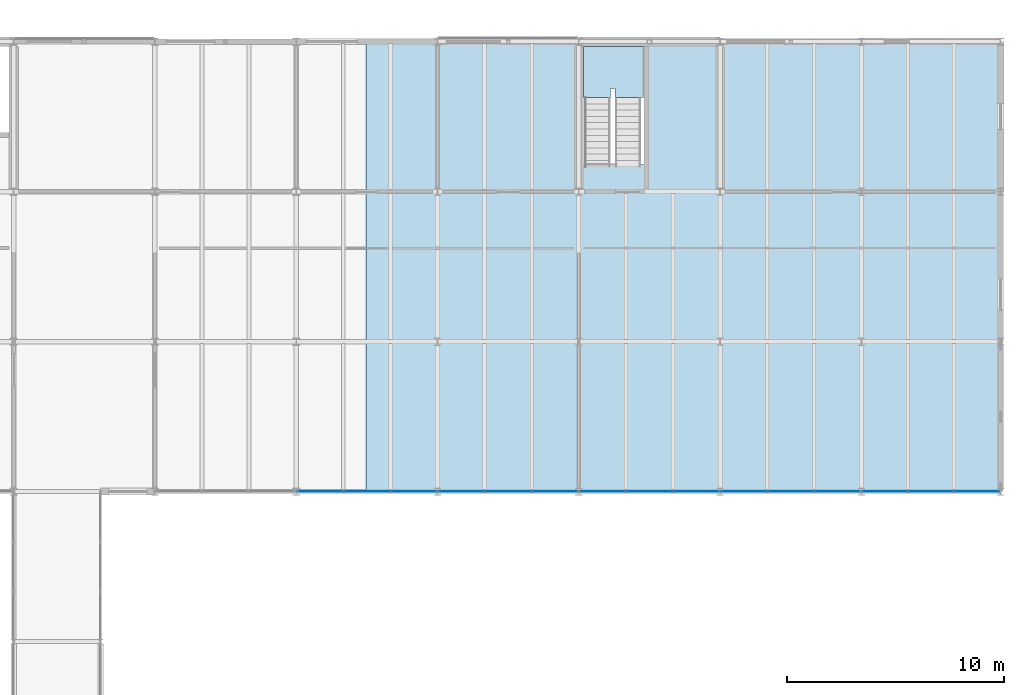
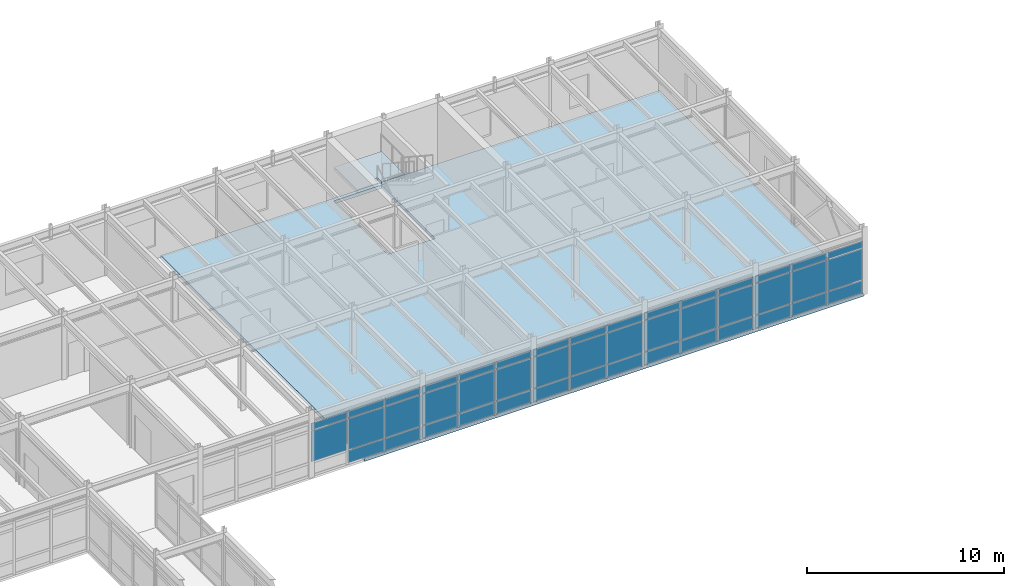
# One storey, part 100 of 144: 44 plates, 2 slabs, 6 elements without a shape of their own.
"""IFC4 building model written with IfcOpenShell, lengths in metres."""

import ifcopenshell
import ifcopenshell.guid

model = None  # the IFC model being written
_history = None  # IfcOwnerHistory: only IFC2X3 demands one
_inside = {}  # id of a spatial element -> (the spatial element, [elements in it])
_under = {}  # id of a project, library or spatial element -> (it, [spatial elements below it])
_declared = {}  # id of a project -> (the project, [libraries it declares])
_typed = {}  # id of a type object -> (the type object, [elements of that type])
_made_of = {}  # id of a material, layer set ... -> (it, [elements and type objects made of it])


def new_model(schema):
    """Start an empty IFC model of exactly this schema.

    Asked for "IFC4X3", IfcOpenShell would pick the latest addendum, in which some entities
    have other attributes; the version numbers below select the first issue.
    IFC2X3 requires an IfcOwnerHistory on every rooted entity: one is made here for all.
    """
    global model, _history
    if schema == "IFC4X3":
        model = ifcopenshell.file(schema_version=(4, 3, 0, 0))
    else:
        model = ifcopenshell.file(schema=schema)
    _inside.clear()
    _under.clear()
    _declared.clear()
    _typed.clear()
    _made_of.clear()
    _history = None
    if model.schema == "IFC2X3":
        org = make("IfcOrganization", Name="unknown")
        user = make(
            "IfcPersonAndOrganization",
            ThePerson=make("IfcPerson", FamilyName="unknown"),
            TheOrganization=org,
        )
        app = make(
            "IfcApplication",
            ApplicationDeveloper=org,
            Version="unknown",
            ApplicationFullName="unknown",
            ApplicationIdentifier="unknown",
        )
        _history = make(
            "IfcOwnerHistory",
            OwningUser=user,
            OwningApplication=app,
            ChangeAction="ADDED",
            CreationDate=0,
        )
    return model


def make(cls, **values):
    """One entity of the class cls with the attributes given. An attribute that is None is left unset."""
    return model.create_entity(
        cls, **{name: value for name, value in values.items() if value is not None}
    )


def rooted(cls, **values):
    """An entity with a GlobalId (a new one), such as an element, a storey or a relation."""
    return make(cls, GlobalId=ifcopenshell.guid.new(), OwnerHistory=_history, **values)


def si_unit(unit_type, name, prefix=None):
    """IfcSIUnit, for example si_unit("LENGTHUNIT", "METRE", prefix="MILLI")."""
    return make("IfcSIUnit", UnitType=unit_type, Prefix=prefix, Name=name)


def assignment(units):
    """IfcUnitAssignment: the units of a project."""
    return None if units is None else make("IfcUnitAssignment", Units=units)


def point(xyz):
    """IfcCartesianPoint."""
    return None if xyz is None else make("IfcCartesianPoint", Coordinates=xyz)


def direction(xyz):
    """IfcDirection."""
    return None if xyz is None else make("IfcDirection", DirectionRatios=xyz)


def frame(location, z_axis=None, x_axis=None):
    """IfcAxis2Placement3D, a coordinate frame: its origin and axes. An axis left out is left unset."""
    return make(
        "IfcAxis2Placement3D",
        Location=point(location),
        Axis=direction(z_axis),
        RefDirection=direction(x_axis),
    )


def frame_2d(location, x_axis=None):
    """IfcAxis2Placement2D, a coordinate frame in the plane: its origin and x axis."""
    return make(
        "IfcAxis2Placement2D", Location=point(location), RefDirection=direction(x_axis)
    )


def origin():
    """The frame at (0, 0, 0) with its axes left unset."""
    return frame((0.0, 0.0, 0.0))


def origin_2d():
    """The frame at (0, 0) in the plane with its x axis left unset."""
    return frame_2d((0.0, 0.0))


def place(relative_to, where):
    """IfcLocalPlacement: puts the frame where relative to a parent placement (None: the world)."""
    return make(
        "IfcLocalPlacement", PlacementRelTo=relative_to, RelativePlacement=where
    )


def context(
    kind, dimensions, precision=None, world=None, true_north=None, identifier=None
):
    """IfcGeometricRepresentationContext, for example the 3D "Model" context."""
    return make(
        "IfcGeometricRepresentationContext",
        ContextIdentifier=identifier,
        ContextType=kind,
        CoordinateSpaceDimension=dimensions,
        Precision=precision,
        WorldCoordinateSystem=world,
        TrueNorth=true_north,
    )


def subcontext(parent, identifier, kind, view, scale=None):
    """IfcGeometricRepresentationSubContext, for example "Body" below "Model"."""
    return make(
        "IfcGeometricRepresentationSubContext",
        ContextIdentifier=identifier,
        ContextType=kind,
        ParentContext=parent,
        TargetScale=scale,
        TargetView=view,
    )


def project(units=None, contexts=None):
    """IfcProject with its units and contexts."""
    return rooted(
        "IfcProject",
        Name="project",
        RepresentationContexts=contexts,
        UnitsInContext=assignment(units),
    )


def spatial(cls, under=None, at=None, **own):
    """A site, building, storey or space (cls), placed at a placement, below another one or the project."""
    s = rooted(cls, ObjectPlacement=at, **own)
    if under is not None:
        _under.setdefault(under.id(), (under, []))[1].append(s)
    return s


def polyline(points):
    """IfcPolyline through the points."""
    return make("IfcPolyline", Points=[point(p) for p in points])


def profile(cls, at=None, kind="AREA", **sizes):
    """A parametric profile (cls). Its sizes go by their IFC names, for example OverallWidth=200.0."""
    return make(cls, ProfileType=kind, Position=at, **sizes)


def rectangle(**sizes):
    """IfcRectangleProfileDef."""
    return profile("IfcRectangleProfileDef", **sizes)


def outline(outer, holes=None, kind="AREA"):
    """IfcArbitraryClosedProfileDef: a profile drawn as a closed curve; with holes, ...WithVoids."""
    if holes is None:
        return make("IfcArbitraryClosedProfileDef", ProfileType=kind, OuterCurve=outer)
    return make(
        "IfcArbitraryProfileDefWithVoids",
        ProfileType=kind,
        OuterCurve=outer,
        InnerCurves=holes,
    )


def extrude(swept, where, along, depth):
    """IfcExtrudedAreaSolid: the profile swept, set in the frame where, extruded along a direction by depth."""
    return make(
        "IfcExtrudedAreaSolid",
        SweptArea=swept,
        Position=where,
        ExtrudedDirection=direction(along),
        Depth=depth,
    )


def shape(context_of_items, identifier, shape_type, items):
    """IfcShapeRepresentation: the items that make up one representation, for example the "Body"."""
    return make(
        "IfcShapeRepresentation",
        ContextOfItems=context_of_items,
        RepresentationIdentifier=identifier,
        RepresentationType=shape_type,
        Items=items,
    )


def material(Name=None, Category=None):
    """IfcMaterial."""
    return make("IfcMaterial", Name=Name, Category=Category)


def layer(
    of_material, thickness, ventilated=None, Name=None, Category=None, Priority=None
):
    """IfcMaterialLayer: one layer of a wall or slab, of a material (None: an air gap)."""
    return make(
        "IfcMaterialLayer",
        Material=of_material,
        LayerThickness=thickness,
        IsVentilated=ventilated,
        Name=Name,
        Category=Category,
        Priority=Priority,
    )


def layer_set(layers, Name=None):
    """IfcMaterialLayerSet."""
    return make("IfcMaterialLayerSet", MaterialLayers=layers, LayerSetName=Name)


def made_of(thing, what):
    """Note that an element or type object is made of a material, layer set ...; save() writes the relation."""
    if what is not None:
        _made_of.setdefault(what.id(), (what, []))[1].append(thing)
    return thing


def type_object(cls, material=None, **own):
    """A type object (cls), such as IfcWallType, which elements share."""
    return made_of(rooted(cls, **own), material)


def element(
    cls,
    number,
    at=None,
    inside=None,
    cuts=None,
    type_object=None,
    material=None,
    context=None,
    identifier="Body",
    shape_type=None,
    held_by="IfcProductDefinitionShape",
    body=None,
    shapes=None,
    **own,
):
    """One element of the class cls, such as IfcWall. Its Tag is "e" and its number.

    at: its placement. inside: the storey or other place that contains it. cuts: it is an
    opening in that element (IfcRelVoidsElement). A single representation is given by context,
    identifier, shape_type and body (its items); several are given by shapes. held_by: the class
    of the entity that holds the representations. save() writes the other relations.
    """
    e = rooted(cls, Tag="e%d" % number, ObjectPlacement=at, **own)
    if body is not None:
        shapes = [shape(context, identifier, shape_type, body)]
    if shapes is not None:
        e.Representation = make(held_by, Representations=shapes)
    if inside is not None:
        _inside.setdefault(inside.id(), (inside, []))[1].append(e)
    if cuts is not None:
        rooted(
            "IfcRelVoidsElement", RelatingBuildingElement=cuts, RelatedOpeningElement=e
        )
    if type_object is not None:
        _typed.setdefault(type_object.id(), (type_object, []))[1].append(e)
    return made_of(e, material)


def aggregate(whole, parts):
    """IfcRelAggregates: a whole, such as a stair, and the parts it consists of."""
    return rooted("IfcRelAggregates", RelatingObject=whole, RelatedObjects=parts)


def save(model, path):
    """Write the relations noted so far, then the file.

    IfcRelAggregates (storeys below a building ...), IfcRelContainedInSpatialStructure (elements
    in a storey), IfcRelDefinesByType, IfcRelAssociatesMaterial and IfcRelDeclares: one each for
    every whole, place, type object, material and project.
    """
    for whole, parts in _under.values():
        aggregate(whole, parts)
    for where, things in _inside.values():
        rooted(
            "IfcRelContainedInSpatialStructure",
            RelatedElements=things,
            RelatingStructure=where,
        )
    for kind, things in _typed.values():
        rooted("IfcRelDefinesByType", RelatedObjects=things, RelatingType=kind)
    for what, things in _made_of.values():
        rooted("IfcRelAssociatesMaterial", RelatedObjects=things, RelatingMaterial=what)
    for by, libraries in _declared.values():
        rooted("IfcRelDeclares", RelatingContext=by, RelatedDefinitions=libraries)
    model.write(path)


model = new_model("IFC4")

# Units and contexts
model_context = context("Model", 3, precision=1e-05, world=origin(), true_north=direction((0.0, 1.0)))
body_context = subcontext(model_context, "Body", "Model", "MODEL_VIEW")
ifc_project = project(units=[si_unit("LENGTHUNIT", "METRE"), si_unit("AREAUNIT", "SQUARE_METRE"), si_unit("VOLUMEUNIT", "CUBIC_METRE"), si_unit("PLANEANGLEUNIT", "RADIAN"), si_unit("MASSUNIT", "GRAM", prefix="KILO")], contexts=[model_context])

# Site, building, storey
site_placement = place(None, origin())
site = spatial("IfcSite", under=ifc_project, at=site_placement, CompositionType="ELEMENT")
building_placement = place(site_placement, origin())
building = spatial("IfcBuilding", under=site, at=building_placement, Name="Trelmorton Wharf Fire Station", CompositionType="ELEMENT")
storey_placement = place(building_placement, frame((0.0, 0.0, 5.39990234375)))
storey = spatial("IfcBuildingStorey", under=building, at=storey_placement, Name="L01", CompositionType="ELEMENT", Elevation=5.39990234375)

# Curtain wall, plates
ifc_material_1 = material(Name="Anodised aluminium AW-6063", Category="aluminium")
ifc_layer_1 = layer(ifc_material_1, 0.159912109375)
ifc_layer_set_1 = layer_set([ifc_layer_1], Name="Anodised aluminium AW-6063")
curtain_wall_type = type_object("IfcCurtainWallType", Name="CW_CHIC_A", PredefinedType="USERDEFINED", material=ifc_layer_set_1)
curtain_wall_1_placement = place(storey_placement, origin())
curtain_wall_1 = element("IfcCurtainWall", 1, at=curtain_wall_1_placement, inside=storey, type_object=curtain_wall_type, Name="CW-V4-L01-125", ObjectType="CHICAGO BAY CURTAIN WALL", PredefinedType="USERDEFINED")
ifc_material_2 = material(Name="Tempered low-E double glazing", Category="glass")
ifc_layer_2 = layer(ifc_material_2, 0.028076171875)
ifc_layer_set_2 = layer_set([ifc_layer_2], Name="Tempered low-E double glazing")
plate_type_1 = type_object("IfcPlateType", Name="CWP_GLAZ_28", PredefinedType="CURTAIN_PANEL", material=ifc_layer_set_2)
plate_1_placement = place(storey_placement, frame((135.3984375, 60.300048828125, 0.06005859375), z_axis=(0.0, 0.0, 1.0), x_axis=(-1.0, 0.0, 0.0)))
plate_1 = element("IfcPlate", 2, at=plate_1_placement, type_object=plate_type_1, Name="CW1 panel 1.1", PredefinedType="CURTAIN_PANEL", context=body_context, shape_type="SweptSolid", body=[
    extrude(rectangle(XDim=2.0732421875, YDim=0.028076171875, at=origin_2d()), origin(), (0.0, 0.0, 1.0), 0.760009765625),
])
plate_2_placement = place(storey_placement, frame((135.3984375, 60.300048828125, 0.88037109375), z_axis=(0.0, 0.0, 1.0), x_axis=(-1.0, 0.0, 0.0)))
plate_2 = element("IfcPlate", 3, at=plate_2_placement, type_object=plate_type_1, Name="CW1 panel 1.2", PredefinedType="CURTAIN_PANEL", context=body_context, shape_type="SweptSolid", body=[
    extrude(rectangle(XDim=2.0732421875, YDim=0.028076171875, at=origin_2d()), origin(), (0.0, 0.0, 1.0), 1.909912109375),
])
plate_3_placement = place(storey_placement, frame((135.3984375, 60.300048828125, 2.85009765625), z_axis=(0.0, 0.0, 1.0), x_axis=(-1.0, 0.0, 0.0)))
plate_3 = element("IfcPlate", 4, at=plate_3_placement, type_object=plate_type_1, Name="CW1 panel 1.3", PredefinedType="CURTAIN_PANEL", context=body_context, shape_type="SweptSolid", body=[
    extrude(rectangle(XDim=2.0732421875, YDim=0.028076171875, at=origin_2d()), origin(), (0.0, 0.0, 1.0), 0.409912109375),
])
plate_4_placement = place(storey_placement, frame((133.25, 60.300048828125, 0.06005859375), z_axis=(0.0, 0.0, 1.0), x_axis=(-1.0, 0.0, 0.0)))
plate_4 = element("IfcPlate", 5, at=plate_4_placement, type_object=plate_type_1, Name="CW1 panel 2.1", PredefinedType="CURTAIN_PANEL", context=body_context, shape_type="SweptSolid", body=[
    extrude(rectangle(XDim=2.103271484375, YDim=0.028076171875, at=origin_2d()), origin(), (0.0, 0.0, 1.0), 0.760009765625),
])
plate_5_placement = place(storey_placement, frame((133.25, 60.300048828125, 0.88037109375), z_axis=(0.0, 0.0, 1.0), x_axis=(-1.0, 0.0, 0.0)))
plate_5 = element("IfcPlate", 6, at=plate_5_placement, type_object=plate_type_1, Name="CW1 panel 2.2", PredefinedType="CURTAIN_PANEL", context=body_context, shape_type="SweptSolid", body=[
    extrude(rectangle(XDim=2.103271484375, YDim=0.028076171875, at=origin_2d()), origin(), (0.0, 0.0, 1.0), 1.909912109375),
])
plate_6_placement = place(storey_placement, frame((133.25, 60.300048828125, 2.85009765625), z_axis=(0.0, 0.0, 1.0), x_axis=(-1.0, 0.0, 0.0)))
plate_6 = element("IfcPlate", 7, at=plate_6_placement, type_object=plate_type_1, Name="CW1 panel 2.3", PredefinedType="CURTAIN_PANEL", context=body_context, shape_type="SweptSolid", body=[
    extrude(rectangle(XDim=2.103271484375, YDim=0.028076171875, at=origin_2d()), origin(), (0.0, 0.0, 1.0), 0.409912109375),
])
plate_7_placement = place(storey_placement, frame((131.1015625, 60.300048828125, 0.88037109375), z_axis=(0.0, 0.0, 1.0), x_axis=(-1.0, 0.0, 0.0)))
plate_7 = element("IfcPlate", 8, at=plate_7_placement, type_object=plate_type_1, Name="CW1 panel 3.2", PredefinedType="CURTAIN_PANEL", context=body_context, shape_type="SweptSolid", body=[
    extrude(rectangle(XDim=2.0732421875, YDim=0.028076171875, at=origin_2d()), origin(), (0.0, 0.0, 1.0), 1.909912109375),
])
plate_8_placement = place(storey_placement, frame((131.1015625, 60.300048828125, 2.85009765625), z_axis=(0.0, 0.0, 1.0), x_axis=(-1.0, 0.0, 0.0)))
plate_8 = element("IfcPlate", 9, at=plate_8_placement, type_object=plate_type_1, Name="CW1 panel 3.3", PredefinedType="CURTAIN_PANEL", context=body_context, shape_type="SweptSolid", body=[
    extrude(rectangle(XDim=2.0732421875, YDim=0.028076171875, at=origin_2d()), origin(), (0.0, 0.0, 1.0), 0.409912109375),
])
aggregate(curtain_wall_1, [plate_1, plate_2, plate_3, plate_4, plate_5, plate_6, plate_7, plate_8])

curtain_wall_2_placement = place(storey_placement, origin())
curtain_wall_2 = element("IfcCurtainWall", 10, at=curtain_wall_2_placement, inside=storey, type_object=curtain_wall_type, Name="CW-V4-L01-127", ObjectType="CHICAGO BAY CURTAIN WALL", PredefinedType="USERDEFINED")
plate_9_placement = place(storey_placement, frame((148.3984375, 60.300048828125, 0.06005859375), z_axis=(0.0, 0.0, 1.0), x_axis=(-1.0, 0.0, 0.0)))
plate_9 = element("IfcPlate", 11, at=plate_9_placement, type_object=plate_type_1, Name="CW1 panel 1.1", PredefinedType="CURTAIN_PANEL", context=body_context, shape_type="SweptSolid", body=[
    extrude(rectangle(XDim=2.0732421875, YDim=0.028076171875, at=origin_2d()), origin(), (0.0, 0.0, 1.0), 0.760009765625),
])
plate_10_placement = place(storey_placement, frame((148.3984375, 60.300048828125, 0.88037109375), z_axis=(0.0, 0.0, 1.0), x_axis=(-1.0, 0.0, 0.0)))
plate_10 = element("IfcPlate", 12, at=plate_10_placement, type_object=plate_type_1, Name="CW1 panel 1.2", PredefinedType="CURTAIN_PANEL", context=body_context, shape_type="SweptSolid", body=[
    extrude(rectangle(XDim=2.0732421875, YDim=0.028076171875, at=origin_2d()), origin(), (0.0, 0.0, 1.0), 1.909912109375),
])
plate_11_placement = place(storey_placement, frame((148.3984375, 60.300048828125, 2.85009765625), z_axis=(0.0, 0.0, 1.0), x_axis=(-1.0, 0.0, 0.0)))
plate_11 = element("IfcPlate", 13, at=plate_11_placement, type_object=plate_type_1, Name="CW1 panel 1.3", PredefinedType="CURTAIN_PANEL", context=body_context, shape_type="SweptSolid", body=[
    extrude(rectangle(XDim=2.0732421875, YDim=0.028076171875, at=origin_2d()), origin(), (0.0, 0.0, 1.0), 0.409912109375),
])
plate_12_placement = place(storey_placement, frame((146.25, 60.300048828125, 0.06005859375), z_axis=(0.0, 0.0, 1.0), x_axis=(-1.0, 0.0, 0.0)))
plate_12 = element("IfcPlate", 14, at=plate_12_placement, type_object=plate_type_1, Name="CW1 panel 2.1", PredefinedType="CURTAIN_PANEL", context=body_context, shape_type="SweptSolid", body=[
    extrude(rectangle(XDim=2.103271484375, YDim=0.028076171875, at=origin_2d()), origin(), (0.0, 0.0, 1.0), 0.760009765625),
])
plate_13_placement = place(storey_placement, frame((146.25, 60.300048828125, 0.88037109375), z_axis=(0.0, 0.0, 1.0), x_axis=(-1.0, 0.0, 0.0)))
plate_13 = element("IfcPlate", 15, at=plate_13_placement, type_object=plate_type_1, Name="CW1 panel 2.2", PredefinedType="CURTAIN_PANEL", context=body_context, shape_type="SweptSolid", body=[
    extrude(rectangle(XDim=2.103271484375, YDim=0.028076171875, at=origin_2d()), origin(), (0.0, 0.0, 1.0), 1.909912109375),
])
plate_14_placement = place(storey_placement, frame((146.25, 60.300048828125, 2.85009765625), z_axis=(0.0, 0.0, 1.0), x_axis=(-1.0, 0.0, 0.0)))
plate_14 = element("IfcPlate", 16, at=plate_14_placement, type_object=plate_type_1, Name="CW1 panel 2.3", PredefinedType="CURTAIN_PANEL", context=body_context, shape_type="SweptSolid", body=[
    extrude(rectangle(XDim=2.103271484375, YDim=0.028076171875, at=origin_2d()), origin(), (0.0, 0.0, 1.0), 0.409912109375),
])
plate_15_placement = place(storey_placement, frame((144.1015625, 60.300048828125, 0.06005859375), z_axis=(0.0, 0.0, 1.0), x_axis=(-1.0, 0.0, 0.0)))
plate_15 = element("IfcPlate", 17, at=plate_15_placement, type_object=plate_type_1, Name="CW1 panel 3.1", PredefinedType="CURTAIN_PANEL", context=body_context, shape_type="SweptSolid", body=[
    extrude(rectangle(XDim=2.0732421875, YDim=0.028076171875, at=origin_2d()), origin(), (0.0, 0.0, 1.0), 0.760009765625),
])
plate_16_placement = place(storey_placement, frame((144.1015625, 60.300048828125, 0.88037109375), z_axis=(0.0, 0.0, 1.0), x_axis=(-1.0, 0.0, 0.0)))
plate_16 = element("IfcPlate", 18, at=plate_16_placement, type_object=plate_type_1, Name="CW1 panel 3.2", PredefinedType="CURTAIN_PANEL", context=body_context, shape_type="SweptSolid", body=[
    extrude(rectangle(XDim=2.0732421875, YDim=0.028076171875, at=origin_2d()), origin(), (0.0, 0.0, 1.0), 1.909912109375),
])
plate_17_placement = place(storey_placement, frame((144.1015625, 60.300048828125, 2.85009765625), z_axis=(0.0, 0.0, 1.0), x_axis=(-1.0, 0.0, 0.0)))
plate_17 = element("IfcPlate", 19, at=plate_17_placement, type_object=plate_type_1, Name="CW1 panel 3.3", PredefinedType="CURTAIN_PANEL", context=body_context, shape_type="SweptSolid", body=[
    extrude(rectangle(XDim=2.0732421875, YDim=0.028076171875, at=origin_2d()), origin(), (0.0, 0.0, 1.0), 0.409912109375),
])
aggregate(curtain_wall_2, [plate_9, plate_10, plate_11, plate_12, plate_13, plate_14, plate_15, plate_16, plate_17])

curtain_wall_3_placement = place(storey_placement, origin())
curtain_wall_3 = element("IfcCurtainWall", 20, at=curtain_wall_3_placement, inside=storey, type_object=curtain_wall_type, Name="CW-V4-L01-128", ObjectType="CHICAGO BAY CURTAIN WALL", PredefinedType="USERDEFINED")
plate_18_placement = place(storey_placement, frame((154.8984375, 60.300048828125, 0.06005859375), z_axis=(0.0, 0.0, 1.0), x_axis=(-1.0, 0.0, 0.0)))
plate_18 = element("IfcPlate", 21, at=plate_18_placement, type_object=plate_type_1, Name="CW1 panel 1.1", PredefinedType="CURTAIN_PANEL", context=body_context, shape_type="SweptSolid", body=[
    extrude(rectangle(XDim=2.0732421875, YDim=0.028076171875, at=origin_2d()), origin(), (0.0, 0.0, 1.0), 0.760009765625),
])
plate_19_placement = place(storey_placement, frame((154.8984375, 60.300048828125, 0.88037109375), z_axis=(0.0, 0.0, 1.0), x_axis=(-1.0, 0.0, 0.0)))
plate_19 = element("IfcPlate", 22, at=plate_19_placement, type_object=plate_type_1, Name="CW1 panel 1.2", PredefinedType="CURTAIN_PANEL", context=body_context, shape_type="SweptSolid", body=[
    extrude(rectangle(XDim=2.0732421875, YDim=0.028076171875, at=origin_2d()), origin(), (0.0, 0.0, 1.0), 1.909912109375),
])
plate_20_placement = place(storey_placement, frame((154.8984375, 60.300048828125, 2.85009765625), z_axis=(0.0, 0.0, 1.0), x_axis=(-1.0, 0.0, 0.0)))
plate_20 = element("IfcPlate", 23, at=plate_20_placement, type_object=plate_type_1, Name="CW1 panel 1.3", PredefinedType="CURTAIN_PANEL", context=body_context, shape_type="SweptSolid", body=[
    extrude(rectangle(XDim=2.0732421875, YDim=0.028076171875, at=origin_2d()), origin(), (0.0, 0.0, 1.0), 0.409912109375),
])
plate_21_placement = place(storey_placement, frame((152.75, 60.300048828125, 0.06005859375), z_axis=(0.0, 0.0, 1.0), x_axis=(-1.0, 0.0, 0.0)))
plate_21 = element("IfcPlate", 24, at=plate_21_placement, type_object=plate_type_1, Name="CW1 panel 2.1", PredefinedType="CURTAIN_PANEL", context=body_context, shape_type="SweptSolid", body=[
    extrude(rectangle(XDim=2.103271484375, YDim=0.028076171875, at=origin_2d()), origin(), (0.0, 0.0, 1.0), 0.760009765625),
])
plate_22_placement = place(storey_placement, frame((152.75, 60.300048828125, 0.88037109375), z_axis=(0.0, 0.0, 1.0), x_axis=(-1.0, 0.0, 0.0)))
plate_22 = element("IfcPlate", 25, at=plate_22_placement, type_object=plate_type_1, Name="CW1 panel 2.2", PredefinedType="CURTAIN_PANEL", context=body_context, shape_type="SweptSolid", body=[
    extrude(rectangle(XDim=2.103271484375, YDim=0.028076171875, at=origin_2d()), origin(), (0.0, 0.0, 1.0), 1.909912109375),
])
plate_23_placement = place(storey_placement, frame((152.75, 60.300048828125, 2.85009765625), z_axis=(0.0, 0.0, 1.0), x_axis=(-1.0, 0.0, 0.0)))
plate_23 = element("IfcPlate", 26, at=plate_23_placement, type_object=plate_type_1, Name="CW1 panel 2.3", PredefinedType="CURTAIN_PANEL", context=body_context, shape_type="SweptSolid", body=[
    extrude(rectangle(XDim=2.103271484375, YDim=0.028076171875, at=origin_2d()), origin(), (0.0, 0.0, 1.0), 0.409912109375),
])
plate_24_placement = place(storey_placement, frame((150.6015625, 60.300048828125, 0.06005859375), z_axis=(0.0, 0.0, 1.0), x_axis=(-1.0, 0.0, 0.0)))
plate_24 = element("IfcPlate", 27, at=plate_24_placement, type_object=plate_type_1, Name="CW1 panel 3.1", PredefinedType="CURTAIN_PANEL", context=body_context, shape_type="SweptSolid", body=[
    extrude(rectangle(XDim=2.0732421875, YDim=0.028076171875, at=origin_2d()), origin(), (0.0, 0.0, 1.0), 0.760009765625),
])
plate_25_placement = place(storey_placement, frame((150.6015625, 60.300048828125, 0.88037109375), z_axis=(0.0, 0.0, 1.0), x_axis=(-1.0, 0.0, 0.0)))
plate_25 = element("IfcPlate", 28, at=plate_25_placement, type_object=plate_type_1, Name="CW1 panel 3.2", PredefinedType="CURTAIN_PANEL", context=body_context, shape_type="SweptSolid", body=[
    extrude(rectangle(XDim=2.0732421875, YDim=0.028076171875, at=origin_2d()), origin(), (0.0, 0.0, 1.0), 1.909912109375),
])
plate_26_placement = place(storey_placement, frame((150.6015625, 60.300048828125, 2.85009765625), z_axis=(0.0, 0.0, 1.0), x_axis=(-1.0, 0.0, 0.0)))
plate_26 = element("IfcPlate", 29, at=plate_26_placement, type_object=plate_type_1, Name="CW1 panel 3.3", PredefinedType="CURTAIN_PANEL", context=body_context, shape_type="SweptSolid", body=[
    extrude(rectangle(XDim=2.0732421875, YDim=0.028076171875, at=origin_2d()), origin(), (0.0, 0.0, 1.0), 0.409912109375),
])
aggregate(curtain_wall_3, [plate_18, plate_19, plate_20, plate_21, plate_22, plate_23, plate_24, plate_25, plate_26])

curtain_wall_4_placement = place(storey_placement, origin())
curtain_wall_4 = element("IfcCurtainWall", 30, at=curtain_wall_4_placement, inside=storey, type_object=curtain_wall_type, Name="CW-V4-L01-129", ObjectType="CHICAGO BAY CURTAIN WALL", PredefinedType="USERDEFINED")
ifc_layer_3 = layer(ifc_material_2, 0.028076171875)
ifc_layer_set_3 = layer_set([ifc_layer_3], Name="Tempered low-E double glazing")
plate_type_2 = type_object("IfcPlateType", Name="CWP_GLAZ_38", PredefinedType="CURTAIN_PANEL", material=ifc_layer_set_3)
plate_27_placement = place(storey_placement, frame((161.31494140625, 60.300048828125, 0.06005859375), z_axis=(0.0, 0.0, 1.0), x_axis=(-1.0, 0.0, 0.0)))
plate_27 = element("IfcPlate", 31, at=plate_27_placement, type_object=plate_type_2, Name="CW1 panel 1.1", PredefinedType="CURTAIN_PANEL", context=body_context, shape_type="SweptSolid", body=[
    extrude(rectangle(XDim=2.0400390625, YDim=0.028076171875, at=origin_2d()), origin(), (0.0, 0.0, 1.0), 0.760009765625),
])
plate_28_placement = place(storey_placement, frame((161.31494140625, 60.300048828125, 0.88037109375), z_axis=(0.0, 0.0, 1.0), x_axis=(-1.0, 0.0, 0.0)))
plate_28 = element("IfcPlate", 32, at=plate_28_placement, type_object=plate_type_2, Name="CW1 panel 1.2", PredefinedType="CURTAIN_PANEL", context=body_context, shape_type="SweptSolid", body=[
    extrude(rectangle(XDim=2.0400390625, YDim=0.028076171875, at=origin_2d()), origin(), (0.0, 0.0, 1.0), 1.909912109375),
])
plate_29_placement = place(storey_placement, frame((161.31494140625, 60.300048828125, 2.85009765625), z_axis=(0.0, 0.0, 1.0), x_axis=(-1.0, 0.0, 0.0)))
plate_29 = element("IfcPlate", 33, at=plate_29_placement, type_object=plate_type_2, Name="CW1 panel 1.3", PredefinedType="CURTAIN_PANEL", context=body_context, shape_type="SweptSolid", body=[
    extrude(rectangle(XDim=2.0400390625, YDim=0.028076171875, at=origin_2d()), origin(), (0.0, 0.0, 1.0), 0.409912109375),
])
plate_30_placement = place(storey_placement, frame((159.199951171875, 60.300048828125, 0.06005859375), z_axis=(0.0, 0.0, 1.0), x_axis=(-1.0, 0.0, 0.0)))
plate_30 = element("IfcPlate", 34, at=plate_30_placement, type_object=plate_type_2, Name="CW1 panel 2.1", PredefinedType="CURTAIN_PANEL", context=body_context, shape_type="SweptSolid", body=[
    extrude(rectangle(XDim=2.070068359375, YDim=0.028076171875, at=origin_2d()), origin(), (0.0, 0.0, 1.0), 0.760009765625),
])
plate_31_placement = place(storey_placement, frame((159.199951171875, 60.300048828125, 0.88037109375), z_axis=(0.0, 0.0, 1.0), x_axis=(-1.0, 0.0, 0.0)))
plate_31 = element("IfcPlate", 35, at=plate_31_placement, type_object=plate_type_2, Name="CW1 panel 2.2", PredefinedType="CURTAIN_PANEL", context=body_context, shape_type="SweptSolid", body=[
    extrude(rectangle(XDim=2.070068359375, YDim=0.028076171875, at=origin_2d()), origin(), (0.0, 0.0, 1.0), 1.909912109375),
])
plate_32_placement = place(storey_placement, frame((159.199951171875, 60.300048828125, 2.85009765625), z_axis=(0.0, 0.0, 1.0), x_axis=(-1.0, 0.0, 0.0)))
plate_32 = element("IfcPlate", 36, at=plate_32_placement, type_object=plate_type_2, Name="CW1 panel 2.3", PredefinedType="CURTAIN_PANEL", context=body_context, shape_type="SweptSolid", body=[
    extrude(rectangle(XDim=2.070068359375, YDim=0.028076171875, at=origin_2d()), origin(), (0.0, 0.0, 1.0), 0.409912109375),
])
plate_33_placement = place(storey_placement, frame((157.0849609375, 60.300048828125, 0.06005859375), z_axis=(0.0, 0.0, 1.0), x_axis=(-1.0, 0.0, 0.0)))
plate_33 = element("IfcPlate", 37, at=plate_33_placement, type_object=plate_type_2, Name="CW1 panel 3.1", PredefinedType="CURTAIN_PANEL", context=body_context, shape_type="SweptSolid", body=[
    extrude(rectangle(XDim=2.0400390625, YDim=0.028076171875, at=origin_2d()), origin(), (0.0, 0.0, 1.0), 0.760009765625),
])
plate_34_placement = place(storey_placement, frame((157.0849609375, 60.300048828125, 0.88037109375), z_axis=(0.0, 0.0, 1.0), x_axis=(-1.0, 0.0, 0.0)))
plate_34 = element("IfcPlate", 38, at=plate_34_placement, type_object=plate_type_2, Name="CW1 panel 3.2", PredefinedType="CURTAIN_PANEL", context=body_context, shape_type="SweptSolid", body=[
    extrude(rectangle(XDim=2.0400390625, YDim=0.028076171875, at=origin_2d()), origin(), (0.0, 0.0, 1.0), 1.909912109375),
])
plate_35_placement = place(storey_placement, frame((157.0849609375, 60.300048828125, 2.85009765625), z_axis=(0.0, 0.0, 1.0), x_axis=(-1.0, 0.0, 0.0)))
plate_35 = element("IfcPlate", 39, at=plate_35_placement, type_object=plate_type_2, Name="CW1 panel 3.3", PredefinedType="CURTAIN_PANEL", context=body_context, shape_type="SweptSolid", body=[
    extrude(rectangle(XDim=2.0400390625, YDim=0.028076171875, at=origin_2d()), origin(), (0.0, 0.0, 1.0), 0.409912109375),
])
aggregate(curtain_wall_4, [plate_27, plate_28, plate_29, plate_30, plate_31, plate_32, plate_33, plate_34, plate_35])

curtain_wall_5_placement = place(storey_placement, origin())
curtain_wall_5 = element("IfcCurtainWall", 40, at=curtain_wall_5_placement, inside=storey, type_object=curtain_wall_type, Name="CW-V4-L01-126", ObjectType="CHICAGO BAY CURTAIN WALL", PredefinedType="USERDEFINED")
ifc_material_3 = material(Name="Ceramic-fritted spandrel glazing", Category="glass")
ifc_layer_4 = layer(ifc_material_3, 0.028076171875)
ifc_layer_set_4 = layer_set([ifc_layer_4], Name="Ceramic-fritted spandrel glazing")
plate_type_3 = type_object("IfcPlateType", Name="CWP_SPAN_48", PredefinedType="CURTAIN_PANEL", material=ifc_layer_set_4)
plate_36_placement = place(storey_placement, frame((141.8984375, 60.300048828125, 0.06005859375), z_axis=(0.0, 0.0, 1.0), x_axis=(-1.0, 0.0, 0.0)))
plate_36 = element("IfcPlate", 41, at=plate_36_placement, type_object=plate_type_3, Name="CW1 panel 1.1", PredefinedType="CURTAIN_PANEL", context=body_context, shape_type="SweptSolid", body=[
    extrude(rectangle(XDim=2.0732421875, YDim=0.028076171875, at=origin_2d()), origin(), (0.0, 0.0, 1.0), 0.760009765625),
])
plate_37_placement = place(storey_placement, frame((141.8984375, 60.300048828125, 0.88037109375), z_axis=(0.0, 0.0, 1.0), x_axis=(-1.0, 0.0, 0.0)))
plate_37 = element("IfcPlate", 42, at=plate_37_placement, type_object=plate_type_3, Name="CW1 panel 1.2", PredefinedType="CURTAIN_PANEL", context=body_context, shape_type="SweptSolid", body=[
    extrude(rectangle(XDim=2.0732421875, YDim=0.028076171875, at=origin_2d()), origin(), (0.0, 0.0, 1.0), 1.909912109375),
])
plate_38_placement = place(storey_placement, frame((141.8984375, 60.300048828125, 2.85009765625), z_axis=(0.0, 0.0, 1.0), x_axis=(-1.0, 0.0, 0.0)))
plate_38 = element("IfcPlate", 43, at=plate_38_placement, type_object=plate_type_3, Name="CW1 panel 1.3", PredefinedType="CURTAIN_PANEL", context=body_context, shape_type="SweptSolid", body=[
    extrude(rectangle(XDim=2.0732421875, YDim=0.028076171875, at=origin_2d()), origin(), (0.0, 0.0, 1.0), 0.409912109375),
])
plate_39_placement = place(storey_placement, frame((139.75, 60.300048828125, 0.06005859375), z_axis=(0.0, 0.0, 1.0), x_axis=(-1.0, 0.0, 0.0)))
plate_39 = element("IfcPlate", 44, at=plate_39_placement, type_object=plate_type_3, Name="CW1 panel 2.1", PredefinedType="CURTAIN_PANEL", context=body_context, shape_type="SweptSolid", body=[
    extrude(rectangle(XDim=2.103271484375, YDim=0.028076171875, at=origin_2d()), origin(), (0.0, 0.0, 1.0), 0.760009765625),
])
plate_40_placement = place(storey_placement, frame((139.75, 60.300048828125, 0.88037109375), z_axis=(0.0, 0.0, 1.0), x_axis=(-1.0, 0.0, 0.0)))
plate_40 = element("IfcPlate", 45, at=plate_40_placement, type_object=plate_type_3, Name="CW1 panel 2.2", PredefinedType="CURTAIN_PANEL", context=body_context, shape_type="SweptSolid", body=[
    extrude(rectangle(XDim=2.103271484375, YDim=0.028076171875, at=origin_2d()), origin(), (0.0, 0.0, 1.0), 1.909912109375),
])
plate_41_placement = place(storey_placement, frame((139.75, 60.300048828125, 2.85009765625), z_axis=(0.0, 0.0, 1.0), x_axis=(-1.0, 0.0, 0.0)))
plate_41 = element("IfcPlate", 46, at=plate_41_placement, type_object=plate_type_3, Name="CW1 panel 2.3", PredefinedType="CURTAIN_PANEL", context=body_context, shape_type="SweptSolid", body=[
    extrude(rectangle(XDim=2.103271484375, YDim=0.028076171875, at=origin_2d()), origin(), (0.0, 0.0, 1.0), 0.409912109375),
])
plate_42_placement = place(storey_placement, frame((137.6015625, 60.300048828125, 0.06005859375), z_axis=(0.0, 0.0, 1.0), x_axis=(-1.0, 0.0, 0.0)))
plate_42 = element("IfcPlate", 47, at=plate_42_placement, type_object=plate_type_3, Name="CW1 panel 3.1", PredefinedType="CURTAIN_PANEL", context=body_context, shape_type="SweptSolid", body=[
    extrude(rectangle(XDim=2.0732421875, YDim=0.028076171875, at=origin_2d()), origin(), (0.0, 0.0, 1.0), 0.760009765625),
])
plate_43_placement = place(storey_placement, frame((137.6015625, 60.300048828125, 0.88037109375), z_axis=(0.0, 0.0, 1.0), x_axis=(-1.0, 0.0, 0.0)))
plate_43 = element("IfcPlate", 48, at=plate_43_placement, type_object=plate_type_3, Name="CW1 panel 3.2", PredefinedType="CURTAIN_PANEL", context=body_context, shape_type="SweptSolid", body=[
    extrude(rectangle(XDim=2.0732421875, YDim=0.028076171875, at=origin_2d()), origin(), (0.0, 0.0, 1.0), 1.909912109375),
])
plate_44_placement = place(storey_placement, frame((137.6015625, 60.300048828125, 2.85009765625), z_axis=(0.0, 0.0, 1.0), x_axis=(-1.0, 0.0, 0.0)))
plate_44 = element("IfcPlate", 49, at=plate_44_placement, type_object=plate_type_3, Name="CW1 panel 3.3", PredefinedType="CURTAIN_PANEL", context=body_context, shape_type="SweptSolid", body=[
    extrude(rectangle(XDim=2.0732421875, YDim=0.028076171875, at=origin_2d()), origin(), (0.0, 0.0, 1.0), 0.409912109375),
])
aggregate(curtain_wall_5, [plate_36, plate_37, plate_38, plate_39, plate_40, plate_41, plate_42, plate_43, plate_44])

# Slab
ifc_material_4 = material(Name="Concrete 40 MPa", Category="concrete")
ifc_layer_5 = layer(ifc_material_4, 0.199951171875)
ifc_layer_set_5 = layer_set([ifc_layer_5], Name="Concrete 40 MPa")
slab_type_1 = type_object("IfcSlabType", Name="SL_FLOOR_200", PredefinedType="FLOOR", material=ifc_layer_set_5)
slab_1_placement = place(storey_placement, frame((0.0, 0.0, -0.199951171875)))
element("IfcSlab", 50, at=slab_1_placement, inside=storey, type_object=slab_type_1, Name="SL-V4-L01-055", PredefinedType="FLOOR", context=body_context, shape_type="SweptSolid", body=[
    extrude(outline(polyline([(162.39990234375, 81.0), (162.39990234375, 60.300048828125), (133.199951171875, 60.300048828125), (133.199951171875, 81.0), (162.39990234375, 81.0)]), holes=[polyline([(143.219970703125, 80.780029296875), (143.219970703125, 75.340087890625), (146.010009765625, 75.340087890625), (146.010009765625, 80.780029296875), (143.219970703125, 80.780029296875)])]), origin(), (0.0, 0.0, 1.0), 0.199951171875),
])

# Stair, slab
ifc_material_5 = material(Name="Precast concrete 45 MPa", Category="concrete")
stair_type = type_object("IfcStairType", Name="ST_DOG_420", PredefinedType="HALF_TURN_STAIR", material=ifc_material_5)
stair_placement = place(storey_placement, origin())
stair = element("IfcStair", 51, at=stair_placement, inside=storey, type_object=stair_type, Name="Escape Stair ST11-L01", PredefinedType="HALF_TURN_STAIR")
ifc_layer_6 = layer(ifc_material_5, 0.199951171875)
ifc_layer_set_6 = layer_set([ifc_layer_6], Name="Precast concrete 45 MPa")
slab_type_2 = type_object("IfcSlabType", Name="SL_LAND_180", PredefinedType="LANDING", material=ifc_layer_set_6)
slab_2_placement = place(storey_placement, frame((0.0, 0.0, 1.900146484375)))
slab_2 = element("IfcSlab", 52, at=slab_2_placement, type_object=slab_type_2, Name="ST11-L01 landing 1", PredefinedType="LANDING", context=body_context, shape_type="SweptSolid", body=[
    extrude(outline(polyline([(143.22509765625, 78.429931640625), (144.4599609375, 78.429931640625), (144.4599609375, 78.85009765625), (144.659912109375, 78.85009765625), (144.659912109375, 78.429931640625), (146.0048828125, 78.429931640625), (146.0048828125, 80.77490234375), (143.22509765625, 80.77490234375), (143.22509765625, 78.429931640625)])), origin(), (0.0, 0.0, 1.0), 0.199951171875),
])
aggregate(stair, [slab_2])

save(model, "model.ifc")
